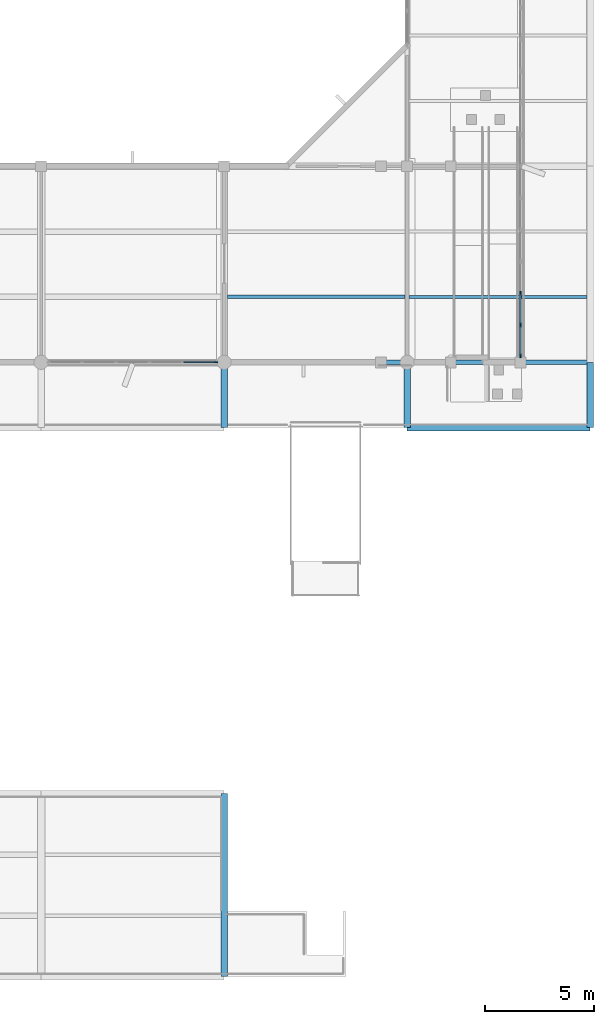
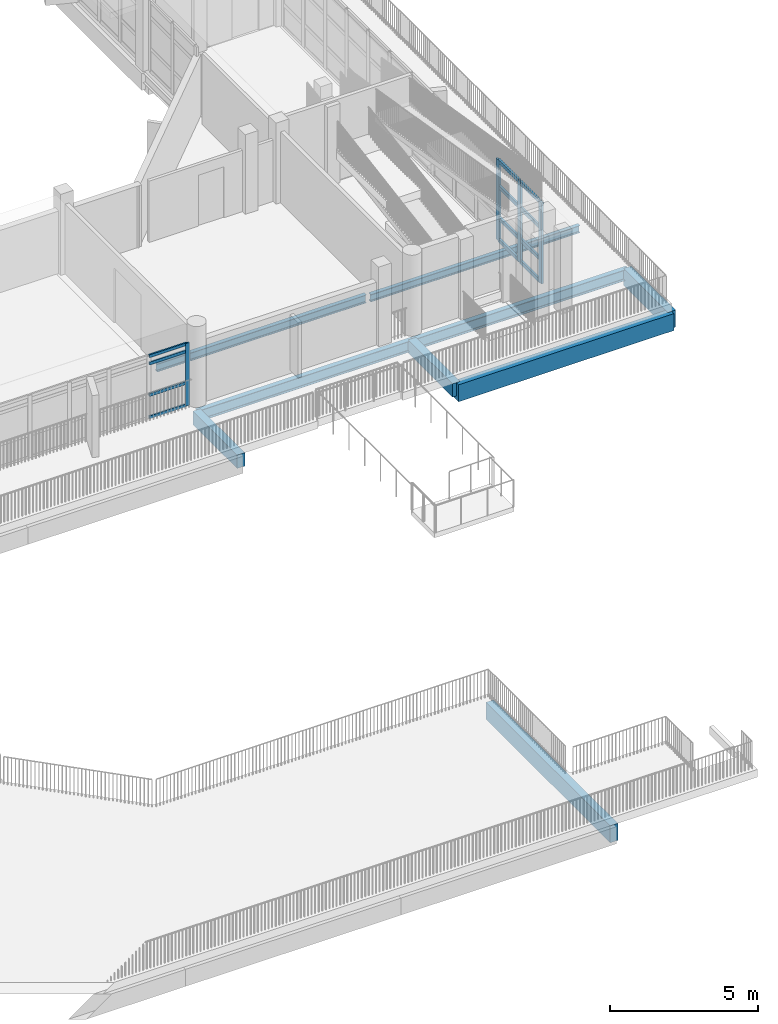
# One storey, part 11 of 51: 16 members, 9 beams, 2 elements without a shape of their own.
"""IFC4 building model written with IfcOpenShell, lengths in metres."""

from ifc_helpers import new_model, si_unit, direction, frame, origin, origin_2d, place, context, subcontext, project, spatial, rectangle, i_section, extrude, material, material_profile, profile_set, type_object, element, aggregate, save


model = new_model("IFC4")

# Units and contexts
model_context = context("Model", 3, precision=1e-05, world=origin(), true_north=direction((0.0, 1.0)))
body_context = subcontext(model_context, "Body", "Model", "MODEL_VIEW")
ifc_project = project(units=[si_unit("LENGTHUNIT", "METRE"), si_unit("AREAUNIT", "SQUARE_METRE"), si_unit("VOLUMEUNIT", "CUBIC_METRE"), si_unit("PLANEANGLEUNIT", "RADIAN"), si_unit("MASSUNIT", "GRAM", prefix="KILO")], contexts=[model_context])

# Site, building, storey
site_placement = place(None, origin())
site = spatial("IfcSite", under=ifc_project, at=site_placement, CompositionType="ELEMENT")
building_placement = place(site_placement, origin())
building = spatial("IfcBuilding", under=site, at=building_placement, Name="Vanh Quang Courtyard School", CompositionType="ELEMENT")
storey_placement = place(building_placement, frame((0.0, 0.0, 11.39990234375)))
storey = spatial("IfcBuildingStorey", under=building, at=storey_placement, Name="L03", CompositionType="ELEMENT", Elevation=11.39990234375)

# Beams
ifc_material_1 = material(Name="Concrete C35/45", Category="concrete")
ifc_material_profile_1 = material_profile(ifc_material_1, rectangle(XDim=0.300048828125, YDim=0.550048828125, at=origin_2d()), Name="RC-BM 300x550")
ifc_profile_set_1 = profile_set([ifc_material_profile_1], Name="Concrete C35/45")
beam_type_1 = type_object("IfcBeamType", Name="BM-RC-300x550", PredefinedType="BEAM", material=ifc_profile_set_1)
for number, where, z_axis, x_axis, name in (
    (1, (102.60009765625, 29.39990234375, -0.594970703125), (0.0, 1.0, 0.0), (-1.0, 0.0, 0.0), "Beam B-07 (L03)"),
    (2, (111.0, 29.39990234375, -0.594970703125), (0.0, 1.0, 0.0), (-1.0, 0.0, 0.0), "Beam B-07 (L03)"),
):
    element("IfcBeam", number, at=place(storey_placement, frame(where, z_axis=z_axis, x_axis=x_axis)), inside=storey, type_object=beam_type_1, Name=name, PredefinedType="BEAM", context=body_context, shape_type="SweptSolid", body=[
        extrude(rectangle(XDim=0.300048828125, YDim=0.550048828125, at=origin_2d()), origin(), (0.0, 0.0, 1.0), 3.0),
    ])
ifc_material_profile_2 = material_profile(ifc_material_1, rectangle(XDim=0.300048828125, YDim=0.699951171875, at=origin_2d()), Name="RC-SP 300x700")
ifc_profile_set_2 = profile_set([ifc_material_profile_2], Name="Concrete C35/45")
beam_type_2 = type_object("IfcBeamType", Name="BM-SP-300x700", PredefinedType="SPANDREL", material=ifc_profile_set_2)
beam_1_placement = place(storey_placement, frame((111.0, 29.39990234375, -0.669921875), z_axis=(1.0, 0.0, 0.0), x_axis=(0.0, 1.0, 0.0)))
element("IfcBeam", 3, at=beam_1_placement, inside=storey, type_object=beam_type_2, Name="Beam BS-01 (L03)", PredefinedType="SPANDREL", context=body_context, shape_type="SweptSolid", body=[
    extrude(rectangle(XDim=0.300048828125, YDim=0.699951171875, at=origin_2d()), origin(), (0.0, 0.0, 1.0), 8.39990234375),
])
beam_2_placement = place(storey_placement, frame((102.60009765625, 4.199951171875, -0.669921875), z_axis=(0.0, 1.0, 0.0), x_axis=(-1.0, 0.0, 0.0)))
element("IfcBeam", 4, at=beam_2_placement, inside=storey, type_object=beam_type_2, Name="Beam BS-01 (L03)", PredefinedType="SPANDREL", context=body_context, shape_type="SweptSolid", body=[
    extrude(rectangle(XDim=0.300048828125, YDim=0.699951171875, at=origin_2d()), origin(), (0.0, 0.0, 1.0), 8.400146484375),
])
beam_3_placement = place(storey_placement, frame((119.39990234375, 29.39990234375, -0.669921875), z_axis=(0.0, 1.0, 0.0), x_axis=(-1.0, 0.0, 0.0)))
element("IfcBeam", 5, at=beam_3_placement, inside=storey, type_object=beam_type_2, Name="Beam BS-01 (L03)", PredefinedType="SPANDREL", context=body_context, shape_type="SweptSolid", body=[
    extrude(rectangle(XDim=0.300048828125, YDim=0.699951171875, at=origin_2d()), origin(), (0.0, 0.0, 1.0), 3.0),
])
ifc_material_2 = material(Name="Structural steel EN 10025-2 S355J2", Category="steel")
ifc_material_profile_3 = material_profile(ifc_material_2, i_section(OverallWidth=0.18994140625, OverallDepth=0.449951171875, WebThickness=0.009521484375, FlangeThickness=0.0146484375, FilletRadius=0.02099609375, at=origin_2d()), Name="IPE 450")
ifc_profile_set_3 = profile_set([ifc_material_profile_3], Name="Structural steel EN 10025-2 S355J2")
beam_type_3 = type_object("IfcBeamType", Name="BM-STL-IPE450", PredefinedType="BEAM", material=ifc_profile_set_3)
for number, where, z_axis, x_axis, name in (
    (6, (102.60009765625, 32.39990234375, -0.544921875), (1.0, 0.0, 0.0), (0.0, 1.0, 0.0), "Beam SB-04 (L03)"),
    (7, (111.0, 32.39990234375, -0.544921875), (1.0, 0.0, 0.0), (0.0, 1.0, 0.0), "Beam SB-04 (L03)"),
):
    element("IfcBeam", number, at=place(storey_placement, frame(where, z_axis=z_axis, x_axis=x_axis)), inside=storey, type_object=beam_type_3, Name=name, PredefinedType="BEAM", context=body_context, shape_type="SweptSolid", body=[
        extrude(i_section(OverallWidth=0.18994140625, OverallDepth=0.449951171875, WebThickness=0.009521484375, FlangeThickness=0.0146484375, FilletRadius=0.02099609375, at=origin_2d()), origin(), (0.0, 0.0, 1.0), 8.39990234375),
    ])

# Curtain wall, member
ifc_material_3 = material(Name="Thermally broken aluminium unitised curtain wall", Category="aluminium")
curtain_wall_type_1 = type_object("IfcCurtainWallType", Name="CW-SYS-21", PredefinedType="NOTDEFINED", material=ifc_material_3)
curtain_wall_1_placement = place(storey_placement, origin())
curtain_wall_1 = element("IfcCurtainWall", 8, at=curtain_wall_1_placement, inside=storey, type_object=curtain_wall_type_1, Name="Curtain Wall CW-21 (L03)", PredefinedType="NOTDEFINED")
ifc_material_4 = material(Name="Anodised aluminium 6063-T6", Category="aluminium")
ifc_material_profile_4 = material_profile(ifc_material_4, rectangle(XDim=0.06005859375, YDim=0.159912109375, at=origin_2d()), Name="ALU-MUL 60x160")
ifc_profile_set_4 = profile_set([ifc_material_profile_4], Name="Anodised aluminium 6063-T6")
member_type_1 = type_object("IfcMemberType", Name="CW-MUL-60x160", PredefinedType="MULLION", material=ifc_profile_set_4)
member_1_placement = place(storey_placement, frame((102.237060546875, 32.39990234375, 0.0), z_axis=(0.0, 0.0, 1.0), x_axis=(0.0, -1.0, 0.0)))
member_1 = element("IfcMember", 9, at=member_1_placement, type_object=member_type_1, Name="CW-21 mullion 1", PredefinedType="MULLION", context=body_context, shape_type="SweptSolid", body=[
    extrude(rectangle(XDim=0.06005859375, YDim=0.159912109375, at=origin_2d()), origin(), (0.0, 0.0, 1.0), 2.580078125),
])

# Curtain wall, members
curtain_wall_type_2 = type_object("IfcCurtainWallType", Name="CW-SYS-60", PredefinedType="NOTDEFINED", material=ifc_material_3)
curtain_wall_2_placement = place(storey_placement, origin())
curtain_wall_2 = element("IfcCurtainWall", 10, at=curtain_wall_2_placement, inside=storey, type_object=curtain_wall_type_2, Name="Curtain Wall CW-60 (L03)", PredefinedType="NOTDEFINED")
ifc_material_profile_5 = material_profile(ifc_material_4, rectangle(XDim=0.080078125, YDim=0.199951171875, at=origin_2d()), Name="ALU-MUL 80x200")
ifc_profile_set_5 = profile_set([ifc_material_profile_5], Name="Anodised aluminium 6063-T6")
member_type_2 = type_object("IfcMemberType", Name="CW-MUL-80x200", PredefinedType="MULLION", material=ifc_profile_set_5)
member_2_placement = place(storey_placement, frame((116.199951171875, 35.572021484375, 0.0), z_axis=(0.0, 0.0, 1.0), x_axis=(1.0, 0.0, 0.0)))
member_2 = element("IfcMember", 11, at=member_2_placement, type_object=member_type_2, Name="CW-60 mullion 11", PredefinedType="MULLION", context=body_context, shape_type="SweptSolid", body=[
    extrude(rectangle(XDim=0.080078125, YDim=0.199951171875, at=origin_2d()), origin(), (0.0, 0.0, 1.0), 3.340087890625),
])
member_3_placement = place(storey_placement, frame((116.199951171875, 34.114990234375, 0.0), z_axis=(0.0, 0.0, 1.0), x_axis=(1.0, 0.0, 0.0)))
member_3 = element("IfcMember", 12, at=member_3_placement, type_object=member_type_2, Name="CW-60 mullion 12", PredefinedType="MULLION", context=body_context, shape_type="SweptSolid", body=[
    extrude(rectangle(XDim=0.080078125, YDim=0.199951171875, at=origin_2d()), origin(), (0.0, 0.0, 1.0), 3.340087890625),
])
member_4_placement = place(storey_placement, frame((116.199951171875, 32.697998046875, 0.0), z_axis=(0.0, 0.0, 1.0), x_axis=(1.0, 0.0, 0.0)))
member_4 = element("IfcMember", 13, at=member_4_placement, type_object=member_type_2, Name="CW-60 mullion 13", PredefinedType="MULLION", context=body_context, shape_type="SweptSolid", body=[
    extrude(rectangle(XDim=0.080078125, YDim=0.199951171875, at=origin_2d()), origin(), (0.0, 0.0, 1.0), 3.340087890625),
])

# Member
ifc_material_profile_6 = material_profile(ifc_material_4, rectangle(XDim=0.06005859375, YDim=0.1201171875, at=origin_2d()), Name="ALU-TRN 60x120")
ifc_profile_set_6 = profile_set([ifc_material_profile_6], Name="Anodised aluminium 6063-T6")
member_type_3 = type_object("IfcMemberType", Name="CW-TRN-60x120", PredefinedType="USERDEFINED", material=ifc_profile_set_6)
member_5_placement = place(storey_placement, frame((102.20703125, 32.39990234375, 0.030029296875), z_axis=(-1.0, 0.0, 0.0), x_axis=(0.0, -1.0, 0.0)))
member_5 = element("IfcMember", 14, at=member_5_placement, type_object=member_type_3, Name="CW-21 transom 1.1", ObjectType="TRANSOM", PredefinedType="USERDEFINED", context=body_context, shape_type="SweptSolid", body=[
    extrude(rectangle(XDim=0.06005859375, YDim=0.1201171875, at=origin_2d()), origin(), (0.0, 0.0, 1.0), 1.456787109375),
])

member_6_placement = place(storey_placement, frame((102.20703125, 32.39990234375, 0.9501953125), z_axis=(-1.0, 0.0, 0.0), x_axis=(0.0, -1.0, 0.0)))
member_6 = element("IfcMember", 15, at=member_6_placement, type_object=member_type_3, Name="CW-21 transom 1.2", ObjectType="TRANSOM", PredefinedType="USERDEFINED", context=body_context, shape_type="SweptSolid", body=[
    extrude(rectangle(XDim=0.06005859375, YDim=0.1201171875, at=origin_2d()), origin(), (0.0, 0.0, 1.0), 1.456787109375),
])

member_7_placement = place(storey_placement, frame((102.20703125, 32.39990234375, 2.25), z_axis=(-1.0, 0.0, 0.0), x_axis=(0.0, -1.0, 0.0)))
member_7 = element("IfcMember", 16, at=member_7_placement, type_object=member_type_3, Name="CW-21 transom 1.3", ObjectType="TRANSOM", PredefinedType="USERDEFINED", context=body_context, shape_type="SweptSolid", body=[
    extrude(rectangle(XDim=0.06005859375, YDim=0.1201171875, at=origin_2d()), origin(), (0.0, 0.0, 1.0), 1.456787109375),
])

member_8_placement = place(storey_placement, frame((102.20703125, 32.39990234375, 2.550048828125), z_axis=(-1.0, 0.0, 0.0), x_axis=(0.0, -1.0, 0.0)))
member_8 = element("IfcMember", 17, at=member_8_placement, type_object=member_type_3, Name="CW-21 transom 1.4", ObjectType="TRANSOM", PredefinedType="USERDEFINED", context=body_context, shape_type="SweptSolid", body=[
    extrude(rectangle(XDim=0.06005859375, YDim=0.1201171875, at=origin_2d()), origin(), (0.0, 0.0, 1.0), 1.456787109375),
])

aggregate(curtain_wall_1, [member_1, member_5, member_6, member_7, member_8])

ifc_material_profile_7 = material_profile(ifc_material_4, rectangle(XDim=0.080078125, YDim=0.14990234375, at=origin_2d()), Name="ALU-TRN 80x150")
ifc_profile_set_7 = profile_set([ifc_material_profile_7], Name="Anodised aluminium 6063-T6")
member_type_4 = type_object("IfcMemberType", Name="CW-TRN-80x150", PredefinedType="USERDEFINED", material=ifc_profile_set_7)
member_9_placement = place(storey_placement, frame((116.199951171875, 35.531982421875, 0.0400390625), z_axis=(0.0, -1.0, 0.0), x_axis=(1.0, 0.0, 0.0)))
member_9 = element("IfcMember", 18, at=member_9_placement, type_object=member_type_4, Name="CW-60 transom 11.1", ObjectType="TRANSOM", PredefinedType="USERDEFINED", context=body_context, shape_type="SweptSolid", body=[
    extrude(rectangle(XDim=0.080078125, YDim=0.14990234375, at=origin_2d()), origin(), (0.0, 0.0, 1.0), 1.376953125),
])

member_10_placement = place(storey_placement, frame((116.199951171875, 35.531982421875, 0.9501953125), z_axis=(0.0, -1.0, 0.0), x_axis=(1.0, 0.0, 0.0)))
member_10 = element("IfcMember", 19, at=member_10_placement, type_object=member_type_4, Name="CW-60 transom 11.2", ObjectType="TRANSOM", PredefinedType="USERDEFINED", context=body_context, shape_type="SweptSolid", body=[
    extrude(rectangle(XDim=0.080078125, YDim=0.14990234375, at=origin_2d()), origin(), (0.0, 0.0, 1.0), 1.376953125),
])

member_11_placement = place(storey_placement, frame((116.199951171875, 35.531982421875, 2.25), z_axis=(0.0, -1.0, 0.0), x_axis=(1.0, 0.0, 0.0)))
member_11 = element("IfcMember", 20, at=member_11_placement, type_object=member_type_4, Name="CW-60 transom 11.3", ObjectType="TRANSOM", PredefinedType="USERDEFINED", context=body_context, shape_type="SweptSolid", body=[
    extrude(rectangle(XDim=0.080078125, YDim=0.14990234375, at=origin_2d()), origin(), (0.0, 0.0, 1.0), 1.376953125),
])

member_12_placement = place(storey_placement, frame((116.199951171875, 35.531982421875, 3.300048828125), z_axis=(0.0, -1.0, 0.0), x_axis=(1.0, 0.0, 0.0)))
member_12 = element("IfcMember", 21, at=member_12_placement, type_object=member_type_4, Name="CW-60 transom 11.4", ObjectType="TRANSOM", PredefinedType="USERDEFINED", context=body_context, shape_type="SweptSolid", body=[
    extrude(rectangle(XDim=0.080078125, YDim=0.14990234375, at=origin_2d()), origin(), (0.0, 0.0, 1.0), 1.376953125),
])

member_13_placement = place(storey_placement, frame((116.199951171875, 34.074951171875, 0.0400390625), z_axis=(0.0, -1.0, 0.0), x_axis=(1.0, 0.0, 0.0)))
member_13 = element("IfcMember", 22, at=member_13_placement, type_object=member_type_4, Name="CW-60 transom 12.1", ObjectType="TRANSOM", PredefinedType="USERDEFINED", context=body_context, shape_type="SweptSolid", body=[
    extrude(rectangle(XDim=0.080078125, YDim=0.14990234375, at=origin_2d()), origin(), (0.0, 0.0, 1.0), 1.3369140625),
])

member_14_placement = place(storey_placement, frame((116.199951171875, 34.074951171875, 0.9501953125), z_axis=(0.0, -1.0, 0.0), x_axis=(1.0, 0.0, 0.0)))
member_14 = element("IfcMember", 23, at=member_14_placement, type_object=member_type_4, Name="CW-60 transom 12.2", ObjectType="TRANSOM", PredefinedType="USERDEFINED", context=body_context, shape_type="SweptSolid", body=[
    extrude(rectangle(XDim=0.080078125, YDim=0.14990234375, at=origin_2d()), origin(), (0.0, 0.0, 1.0), 1.3369140625),
])

member_15_placement = place(storey_placement, frame((116.199951171875, 34.074951171875, 2.25), z_axis=(0.0, -1.0, 0.0), x_axis=(1.0, 0.0, 0.0)))
member_15 = element("IfcMember", 24, at=member_15_placement, type_object=member_type_4, Name="CW-60 transom 12.3", ObjectType="TRANSOM", PredefinedType="USERDEFINED", context=body_context, shape_type="SweptSolid", body=[
    extrude(rectangle(XDim=0.080078125, YDim=0.14990234375, at=origin_2d()), origin(), (0.0, 0.0, 1.0), 1.3369140625),
])

member_16_placement = place(storey_placement, frame((116.199951171875, 34.074951171875, 3.300048828125), z_axis=(0.0, -1.0, 0.0), x_axis=(1.0, 0.0, 0.0)))
member_16 = element("IfcMember", 25, at=member_16_placement, type_object=member_type_4, Name="CW-60 transom 12.4", ObjectType="TRANSOM", PredefinedType="USERDEFINED", context=body_context, shape_type="SweptSolid", body=[
    extrude(rectangle(XDim=0.080078125, YDim=0.14990234375, at=origin_2d()), origin(), (0.0, 0.0, 1.0), 1.3369140625),
])

aggregate(curtain_wall_2, [member_2, member_3, member_4, member_9, member_10, member_11, member_12, member_13, member_14, member_15, member_16])

# Beams
ifc_material_profile_8 = material_profile(ifc_material_2, i_section(OverallWidth=0.14990234375, OverallDepth=0.300048828125, WebThickness=0.007080078125, FlangeThickness=0.0107421875, FilletRadius=0.014892578125, at=origin_2d()), Name="IPE 300")
ifc_profile_set_8 = profile_set([ifc_material_profile_8], Name="Structural steel EN 10025-2 S355J2")
beam_type_4 = type_object("IfcBeamType", Name="JST-STL-IPE300", PredefinedType="JOIST", material=ifc_profile_set_8)
beam_4_placement = place(storey_placement, frame((111.090087890625, 35.39990234375, -0.469970703125), z_axis=(1.0, 0.0, 0.0), x_axis=(0.0, 1.0, 0.0)))
element("IfcBeam", 26, at=beam_4_placement, inside=storey, type_object=beam_type_4, Name="Beam SJ-02 (L03)", PredefinedType="JOIST", context=body_context, shape_type="SweptSolid", body=[
    extrude(i_section(OverallWidth=0.14990234375, OverallDepth=0.300048828125, WebThickness=0.007080078125, FlangeThickness=0.0107421875, FilletRadius=0.014892578125, at=origin_2d()), origin(), (0.0, 0.0, 1.0), 8.159912109375),
])
ifc_material_profile_9 = material_profile(ifc_material_2, i_section(OverallWidth=0.159912109375, OverallDepth=0.330078125, WebThickness=0.007568359375, FlangeThickness=0.011474609375, FilletRadius=0.01806640625, at=origin_2d()), Name="IPE 330")
ifc_profile_set_9 = profile_set([ifc_material_profile_9], Name="Structural steel EN 10025-2 S355J2")
beam_type_5 = type_object("IfcBeamType", Name="JST-STL-IPE330", PredefinedType="JOIST", material=ifc_profile_set_9)
beam_5_placement = place(storey_placement, frame((102.75, 35.39990234375, -0.4248046875), z_axis=(1.0, 0.0, 0.0), x_axis=(0.0, 1.0, 0.0)))
element("IfcBeam", 27, at=beam_5_placement, inside=storey, type_object=beam_type_5, Name="Beam SJ-01 (L03)", PredefinedType="JOIST", context=body_context, shape_type="SweptSolid", body=[
    extrude(i_section(OverallWidth=0.159912109375, OverallDepth=0.330078125, WebThickness=0.007568359375, FlangeThickness=0.011474609375, FilletRadius=0.01806640625, at=origin_2d()), origin(), (0.0, 0.0, 1.0), 8.159912109375),
])

save(model, "model.ifc")
